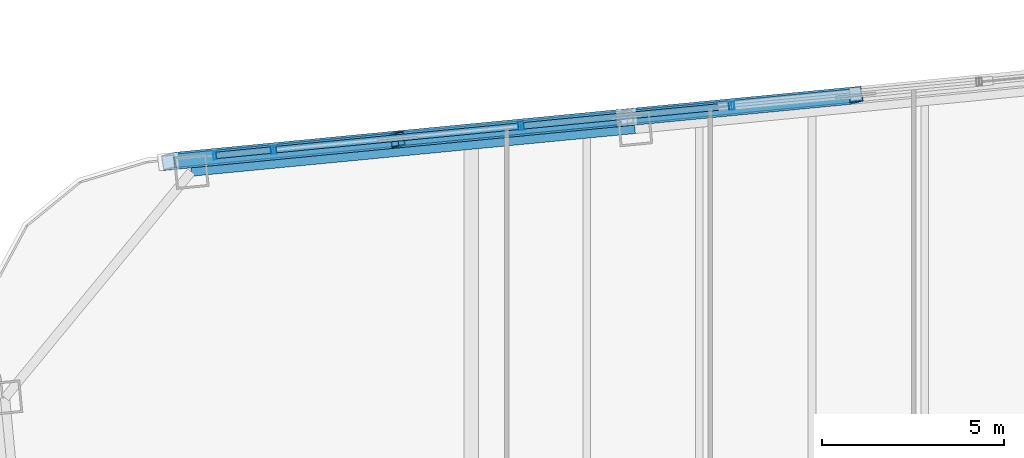
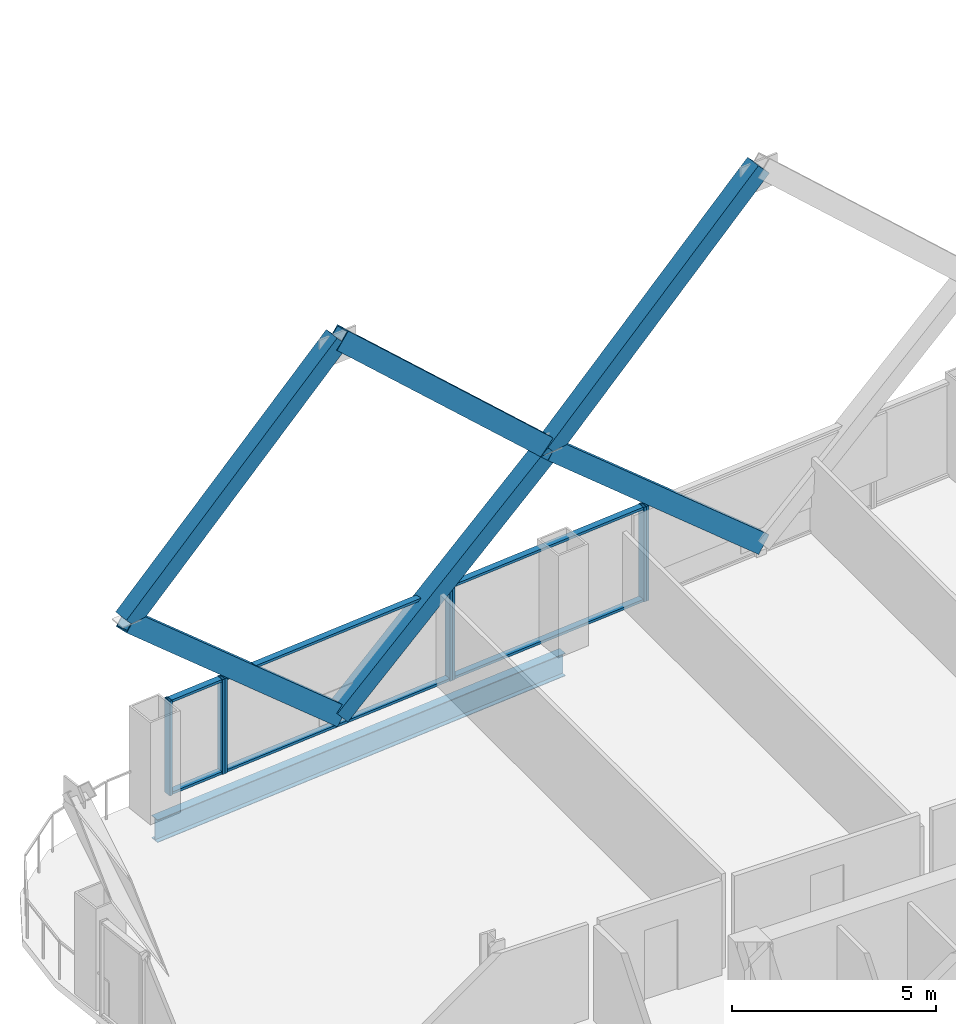
# One storey, part 21 of 32: 19 members, 1 beam, 4 elements without a shape of their own.
"""IFC4 building model written with IfcOpenShell, lengths in metres."""

from ifc_helpers import new_model, si_unit, direction, frame, origin, origin_2d, place, context, subcontext, project, spatial, hollow_rectangle, i_section, extrude, material, layer, layer_set, material_profile, profile_set, type_object, element, aggregate, save


model = new_model("IFC4")

# Units and contexts
model_context = context("Model", 3, precision=1e-05, world=origin(), true_north=direction((0.0, 1.0)))
body_context = subcontext(model_context, "Body", "Model", "MODEL_VIEW")
ifc_project = project(units=[si_unit("LENGTHUNIT", "METRE"), si_unit("AREAUNIT", "SQUARE_METRE"), si_unit("VOLUMEUNIT", "CUBIC_METRE"), si_unit("PLANEANGLEUNIT", "RADIAN"), si_unit("MASSUNIT", "GRAM", prefix="KILO")], contexts=[model_context])

# Site, building, storey
site_placement = place(None, origin())
site = spatial("IfcSite", under=ifc_project, at=site_placement, CompositionType="ELEMENT")
building_placement = place(site_placement, origin())
building = spatial("IfcBuilding", under=site, at=building_placement, Name="Qhalaya Broadcast Tower", CompositionType="ELEMENT")
storey_placement = place(building_placement, frame((0.0, 0.0, 81.64990234375)))
storey = spatial("IfcBuildingStorey", under=building, at=storey_placement, Name="L23", CompositionType="ELEMENT", Elevation=81.64990234375)

# Members
ifc_material_1 = material(Name="Structural Steel ASTM A572 Grade 50", Category="steel")
ifc_material_profile_1 = material_profile(ifc_material_1, hollow_rectangle(XDim=0.419921875, YDim=0.550048828125, WallThickness=0.028076171875, at=origin_2d()), Name="BOX 420x550x28")
ifc_profile_set_1 = profile_set([ifc_material_profile_1], Name="Structural Steel ASTM A572 Grade 50")
member_type_1 = type_object("IfcMemberType", Name="Exoskeleton Diamond Diagonal Mid-Low EX2", PredefinedType="BRACE", material=ifc_profile_set_1)
member_1_placement = place(storey_placement, frame((1.197509765625, 27.867431640625, 0.360107421875), z_axis=(-0.758637209183, -0.073037413912, 0.647406457345), x_axis=(0.157155783857, -0.98486851796, 0.073048353381)))
element("IfcMember", 1, at=member_1_placement, inside=storey, type_object=member_type_1, Name="B2 Exoskeleton Diamond Brace N2-D2", PredefinedType="BRACE", context=body_context, shape_type="SweptSolid", body=[
    extrude(hollow_rectangle(XDim=0.419921875, YDim=0.550048828125, WallThickness=0.028076171875, at=origin_2d()), origin(), (0.0, 0.0, 1.0), 8.309814453125),
])
member_2_placement = place(storey_placement, frame((-5.106689453125, 27.260498046875, 5.739990234375), z_axis=(0.730619555004, 0.070340028415, 0.679151931638), x_axis=(-0.160184449091, 0.984576934745, 0.070350563873)))
element("IfcMember", 2, at=member_2_placement, inside=storey, type_object=member_type_1, Name="B2 Exoskeleton Diamond Brace N2-D4", PredefinedType="BRACE", context=body_context, shape_type="SweptSolid", body=[
    extrude(hollow_rectangle(XDim=0.419921875, YDim=0.550048828125, WallThickness=0.028076171875, at=origin_2d()), origin(), (0.0, 0.0, 1.0), 8.628662109375),
])
for number, where, z_axis, x_axis, name in (
    (3, (-11.410888671875, 26.6533203125, 0.360107421875), (0.758635580976, 0.073066636585, 0.647405067864), (-0.157193441444, 0.984862499798, 0.073048466507), "B2 Exoskeleton Diamond Brace N3-D1"),
    (4, (-11.410888671875, 26.6533203125, 0.360107421875), (-0.758637209183, -0.073037413912, 0.647406457345), (0.157155783857, -0.98486851796, 0.073048353381), "B2 Exoskeleton Diamond Brace N3-D2"),
):
    element("IfcMember", number, at=place(storey_placement, frame(where, z_axis=z_axis, x_axis=x_axis)), inside=storey, type_object=member_type_1, Name=name, PredefinedType="BRACE", context=body_context, shape_type="SweptSolid", body=[
        extrude(hollow_rectangle(XDim=0.419921875, YDim=0.550048828125, WallThickness=0.028076171875, at=origin_2d()), origin(), (0.0, 0.0, 1.0), 8.309814453125),
    ])
for number, where, z_axis, x_axis, name in (
    (5, (-5.106689453125, 27.260498046875, 5.739990234375), (-0.730618100613, -0.070368182799, 0.6791505797), (0.160222099068, -0.984570800026, 0.070350683768), "B2 Exoskeleton Diamond Brace N3-D3"),
    (6, (-17.715087890625, 26.04638671875, 5.739990234375), (0.730619555004, 0.070340028415, 0.679151931638), (-0.160184449091, 0.984576934745, 0.070350563873), "B2 Exoskeleton Diamond Brace N3-D4"),
):
    element("IfcMember", number, at=place(storey_placement, frame(where, z_axis=z_axis, x_axis=x_axis)), inside=storey, type_object=member_type_1, Name=name, PredefinedType="BRACE", context=body_context, shape_type="SweptSolid", body=[
        extrude(hollow_rectangle(XDim=0.419921875, YDim=0.550048828125, WallThickness=0.028076171875, at=origin_2d()), origin(), (0.0, 0.0, 1.0), 8.628662109375),
    ])

# Beam
ifc_material_2 = material(Name="Structural Steel ASTM A992 Grade 50", Category="steel")
ifc_material_profile_2 = material_profile(ifc_material_2, i_section(OverallWidth=0.25390625, OverallDepth=0.68310546875, WebThickness=0.012451171875, FlangeThickness=0.01904296875, at=origin_2d()), Name="W27X94")
ifc_profile_set_2 = profile_set([ifc_material_profile_2], Name="Structural Steel ASTM A992 Grade 50")
beam_type = type_object("IfcBeamType", Name="Perimeter Ring Spandrel Beam SP1", PredefinedType="SPANDREL", material=ifc_profile_set_2)
beam_placement = place(storey_placement, frame((-4.875, 26.941162109375, -0.5615234375), z_axis=(-0.99539563662, -0.095851586307, 0.0), x_axis=(0.095851586307, -0.99539563662, 0.0)))
element("IfcBeam", 7, at=beam_placement, inside=storey, type_object=beam_type, Name="L23 SP1 L23-SPR-11", PredefinedType="SPANDREL", context=body_context, shape_type="SweptSolid", body=[
    extrude(i_section(OverallWidth=0.25390625, OverallDepth=0.68310546875, WebThickness=0.012451171875, FlangeThickness=0.01904296875, at=origin_2d()), origin(), (0.0, 0.0, 1.0), 12.2666015625),
])

# Curtain wall, member
ifc_material_3 = material(Name="Fired Architectural Terracotta", Category="masonry")
ifc_layer_1 = layer(ifc_material_3, 0.219970703125, Name="Fired Architectural Terracotta")
ifc_layer_set_1 = layer_set([ifc_layer_1], Name="Fired Architectural Terracotta")
curtain_wall_type_1 = type_object("IfcCurtainWallType", Name="Block-Cap Unitised Terracotta Spandrel Wall CW-07", PredefinedType="NOTDEFINED", material=ifc_layer_set_1)
curtain_wall_1_placement = place(storey_placement, origin())
curtain_wall_1 = element("IfcCurtainWall", 8, at=curtain_wall_1_placement, inside=storey, type_object=curtain_wall_type_1, Name="L23 Unitised Curtain Wall L23-CW-N4", PredefinedType="NOTDEFINED")
ifc_material_4 = material(Name="Anodised Aluminium 6063-T6", Category="aluminium")
ifc_material_profile_3 = material_profile(ifc_material_4, hollow_rectangle(XDim=0.074951171875, YDim=0.219970703125, WallThickness=0.00390625, at=origin_2d()), Name="ALU-MUL 75x220x4")
ifc_profile_set_3 = profile_set([ifc_material_profile_3], Name="Anodised Aluminium 6063-T6")
member_type_2 = type_object("IfcMemberType", Name="Unitised Curtain-Wall Mullion M01", PredefinedType="MULLION", material=ifc_profile_set_3)
member_3_placement = place(storey_placement, frame((-2.17529296875, 27.5830078125, 0.0), z_axis=(0.0, 0.0, 1.0), x_axis=(-0.995395768185, -0.095850220023, 0.0)))
member_3 = element("IfcMember", 9, at=member_3_placement, type_object=member_type_2, Name="CW-07 mullion 2", PredefinedType="MULLION", context=body_context, shape_type="SweptSolid", body=[
    extrude(hollow_rectangle(XDim=0.074951171875, YDim=0.219970703125, WallThickness=0.00390625, at=origin_2d()), origin(), (0.0, 0.0, 1.0), 2.830078125),
])
aggregate(curtain_wall_1, [member_3])

# Curtain wall, members
ifc_material_5 = material(Name="Solar-Control Low-E Triple Glazing", Category="glass")
ifc_layer_2 = layer(ifc_material_5, 0.219970703125, Name="Solar-Control Low-E Triple Glazing")
ifc_layer_set_2 = layer_set([ifc_layer_2], Name="Solar-Control Low-E Triple Glazing")
curtain_wall_type_2 = type_object("IfcCurtainWallType", Name="Even-Block 4-Storey Double-Module Curtain Wall CW-03", PredefinedType="NOTDEFINED", material=ifc_layer_set_2)
curtain_wall_2_placement = place(storey_placement, origin())
curtain_wall_2 = element("IfcCurtainWall", 10, at=curtain_wall_2_placement, inside=storey, type_object=curtain_wall_type_2, Name="L23 Unitised Curtain Wall L23-CW-N5", PredefinedType="NOTDEFINED")
member_4_placement = place(storey_placement, frame((-2.249755859375, 27.57568359375, 0.0), z_axis=(0.0, 0.0, 1.0), x_axis=(-0.995396371729, -0.095843952075, 0.0)))
member_4 = element("IfcMember", 11, at=member_4_placement, type_object=member_type_2, Name="CW-03 mullion 1", PredefinedType="MULLION", context=body_context, shape_type="SweptSolid", body=[
    extrude(hollow_rectangle(XDim=0.074951171875, YDim=0.219970703125, WallThickness=0.00390625, at=origin_2d()), origin(), (0.0, 0.0, 1.0), 2.830078125),
])
member_5_placement = place(storey_placement, frame((-7.971435546875, 27.02490234375, 0.0), z_axis=(0.0, 0.0, 1.0), x_axis=(-0.995396371729, -0.095843952075, 0.0)))
member_5 = element("IfcMember", 12, at=member_5_placement, type_object=member_type_2, Name="CW-03 mullion 2", PredefinedType="MULLION", context=body_context, shape_type="SweptSolid", body=[
    extrude(hollow_rectangle(XDim=0.074951171875, YDim=0.219970703125, WallThickness=0.00390625, at=origin_2d()), origin(), (0.0, 0.0, 1.0), 2.830078125),
])

curtain_wall_3_placement = place(storey_placement, origin())
curtain_wall_3 = element("IfcCurtainWall", 13, at=curtain_wall_3_placement, inside=storey, type_object=curtain_wall_type_1, Name="L23 Unitised Curtain Wall L23-CW-N6", PredefinedType="NOTDEFINED")
member_6_placement = place(storey_placement, frame((-8.046142578125, 27.017578125, 0.0), z_axis=(0.0, 0.0, 1.0), x_axis=(-0.995395819861, -0.095849683373, 0.0)))
member_6 = element("IfcMember", 14, at=member_6_placement, type_object=member_type_2, Name="CW-07 mullion 1", PredefinedType="MULLION", context=body_context, shape_type="SweptSolid", body=[
    extrude(hollow_rectangle(XDim=0.074951171875, YDim=0.219970703125, WallThickness=0.00390625, at=origin_2d()), origin(), (0.0, 0.0, 1.0), 2.830078125),
])
member_7_placement = place(storey_placement, frame((-14.782958984375, 26.368896484375, 0.0), z_axis=(0.0, 0.0, 1.0), x_axis=(-0.995395819861, -0.095849683373, 0.0)))
member_7 = element("IfcMember", 15, at=member_7_placement, type_object=member_type_2, Name="CW-07 mullion 2", PredefinedType="MULLION", context=body_context, shape_type="SweptSolid", body=[
    extrude(hollow_rectangle(XDim=0.074951171875, YDim=0.219970703125, WallThickness=0.00390625, at=origin_2d()), origin(), (0.0, 0.0, 1.0), 2.830078125),
])

curtain_wall_4_placement = place(storey_placement, origin())
curtain_wall_4 = element("IfcCurtainWall", 16, at=curtain_wall_4_placement, inside=storey, type_object=curtain_wall_type_2, Name="L23 Unitised Curtain Wall L23-CW-N7", PredefinedType="NOTDEFINED")
member_8_placement = place(storey_placement, frame((-14.857421875, 26.36181640625, 0.0), z_axis=(0.0, 0.0, 1.0), x_axis=(-0.995396232884, -0.095845394047, 0.0)))
member_8 = element("IfcMember", 17, at=member_8_placement, type_object=member_type_2, Name="CW-03 mullion 1", PredefinedType="MULLION", context=body_context, shape_type="SweptSolid", body=[
    extrude(hollow_rectangle(XDim=0.074951171875, YDim=0.219970703125, WallThickness=0.00390625, at=origin_2d()), origin(), (0.0, 0.0, 1.0), 2.830078125),
])
member_9_placement = place(storey_placement, frame((-16.437255859375, 26.20947265625, 0.0), z_axis=(0.0, 0.0, 1.0), x_axis=(-0.995396232884, -0.095845394047, 0.0)))
member_9 = element("IfcMember", 18, at=member_9_placement, type_object=member_type_2, Name="CW-03 mullion 2", PredefinedType="MULLION", context=body_context, shape_type="SweptSolid", body=[
    extrude(hollow_rectangle(XDim=0.074951171875, YDim=0.219970703125, WallThickness=0.00390625, at=origin_2d()), origin(), (0.0, 0.0, 1.0), 2.830078125),
])

# Member
ifc_material_profile_4 = material_profile(ifc_material_4, hollow_rectangle(XDim=0.074951171875, YDim=0.179931640625, WallThickness=0.00390625, at=origin_2d()), Name="ALU-TRN 75x180x4")
ifc_profile_set_4 = profile_set([ifc_material_profile_4], Name="Anodised Aluminium 6063-T6")
member_type_3 = type_object("IfcMemberType", Name="Unitised Curtain-Wall Transom T01", PredefinedType="USERDEFINED", material=ifc_profile_set_4)
member_10_placement = place(storey_placement, frame((-2.287109375, 27.572021484375, 0.03759765625), z_axis=(-0.995396878598, -0.095838687792, 0.0), x_axis=(0.0, 0.0, 1.0)))
member_10 = element("IfcMember", 19, at=member_10_placement, type_object=member_type_3, Name="CW-03 transom 1.1", ObjectType="TRANSOM", PredefinedType="USERDEFINED", context=body_context, shape_type="SweptSolid", body=[
    extrude(hollow_rectangle(XDim=0.074951171875, YDim=0.179931640625, WallThickness=0.00390625, at=origin_2d()), origin(), (0.0, 0.0, 1.0), 5.673095703125),
])

member_11_placement = place(storey_placement, frame((-2.287109375, 27.572021484375, 2.79248046875), z_axis=(-0.995396878598, -0.095838687792, 0.0), x_axis=(0.0, 0.0, 1.0)))
member_11 = element("IfcMember", 20, at=member_11_placement, type_object=member_type_3, Name="CW-03 transom 1.2", ObjectType="TRANSOM", PredefinedType="USERDEFINED", context=body_context, shape_type="SweptSolid", body=[
    extrude(hollow_rectangle(XDim=0.074951171875, YDim=0.179931640625, WallThickness=0.00390625, at=origin_2d()), origin(), (0.0, 0.0, 1.0), 5.673095703125),
])

aggregate(curtain_wall_2, [member_4, member_5, member_10, member_11])

member_12_placement = place(storey_placement, frame((-8.083251953125, 27.013916015625, 0.03759765625), z_axis=(-0.99539839689, -0.095822917242, 0.0), x_axis=(0.0, 0.0, 1.0)))
member_12 = element("IfcMember", 21, at=member_12_placement, type_object=member_type_3, Name="CW-07 transom 1.1", ObjectType="TRANSOM", PredefinedType="USERDEFINED", context=body_context, shape_type="SweptSolid", body=[
    extrude(hollow_rectangle(XDim=0.074951171875, YDim=0.179931640625, WallThickness=0.00390625, at=origin_2d()), origin(), (0.0, 0.0, 1.0), 6.693115234375),
])

member_13_placement = place(storey_placement, frame((-8.083251953125, 27.013916015625, 2.79248046875), z_axis=(-0.99539839689, -0.095822917242, 0.0), x_axis=(0.0, 0.0, 1.0)))
member_13 = element("IfcMember", 22, at=member_13_placement, type_object=member_type_3, Name="CW-07 transom 1.2", ObjectType="TRANSOM", PredefinedType="USERDEFINED", context=body_context, shape_type="SweptSolid", body=[
    extrude(hollow_rectangle(XDim=0.074951171875, YDim=0.179931640625, WallThickness=0.00390625, at=origin_2d()), origin(), (0.0, 0.0, 1.0), 6.693115234375),
])

aggregate(curtain_wall_3, [member_6, member_7, member_12, member_13])

member_14_placement = place(storey_placement, frame((-14.894775390625, 26.358154296875, 0.03759765625), z_axis=(-0.995390373601, -0.095906225778, 0.0), x_axis=(0.0, 0.0, 1.0)))
member_14 = element("IfcMember", 23, at=member_14_placement, type_object=member_type_3, Name="CW-03 transom 1.1", ObjectType="TRANSOM", PredefinedType="USERDEFINED", context=body_context, shape_type="SweptSolid", body=[
    extrude(hollow_rectangle(XDim=0.074951171875, YDim=0.179931640625, WallThickness=0.00390625, at=origin_2d()), origin(), (0.0, 0.0, 1.0), 1.51220703125),
])

member_15_placement = place(storey_placement, frame((-14.894775390625, 26.358154296875, 2.79248046875), z_axis=(-0.995390373601, -0.095906225778, 0.0), x_axis=(0.0, 0.0, 1.0)))
member_15 = element("IfcMember", 24, at=member_15_placement, type_object=member_type_3, Name="CW-03 transom 1.2", ObjectType="TRANSOM", PredefinedType="USERDEFINED", context=body_context, shape_type="SweptSolid", body=[
    extrude(hollow_rectangle(XDim=0.074951171875, YDim=0.179931640625, WallThickness=0.00390625, at=origin_2d()), origin(), (0.0, 0.0, 1.0), 1.51220703125),
])

aggregate(curtain_wall_4, [member_8, member_9, member_14, member_15])

save(model, "model.ifc")
